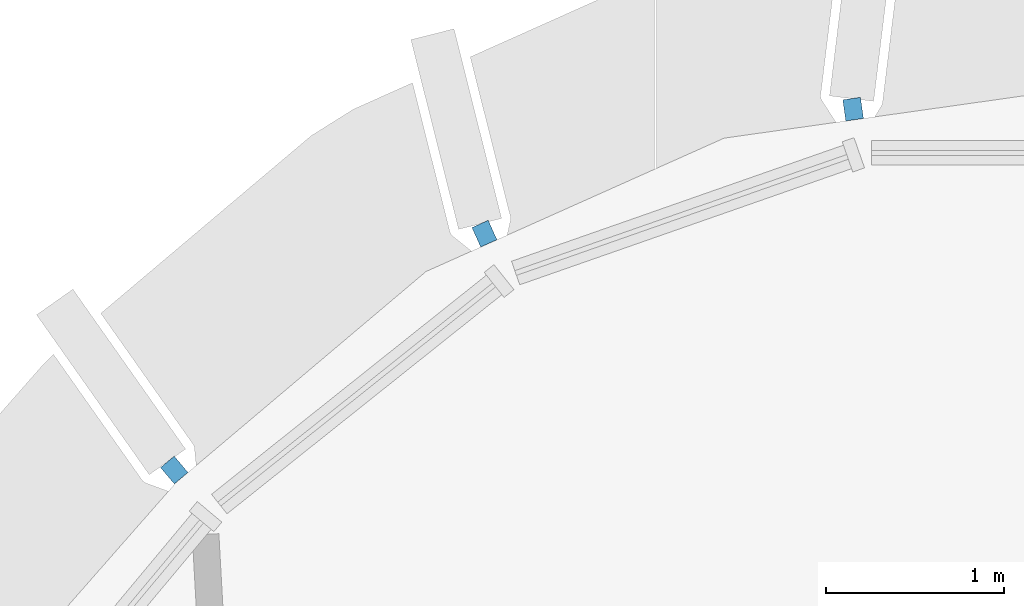
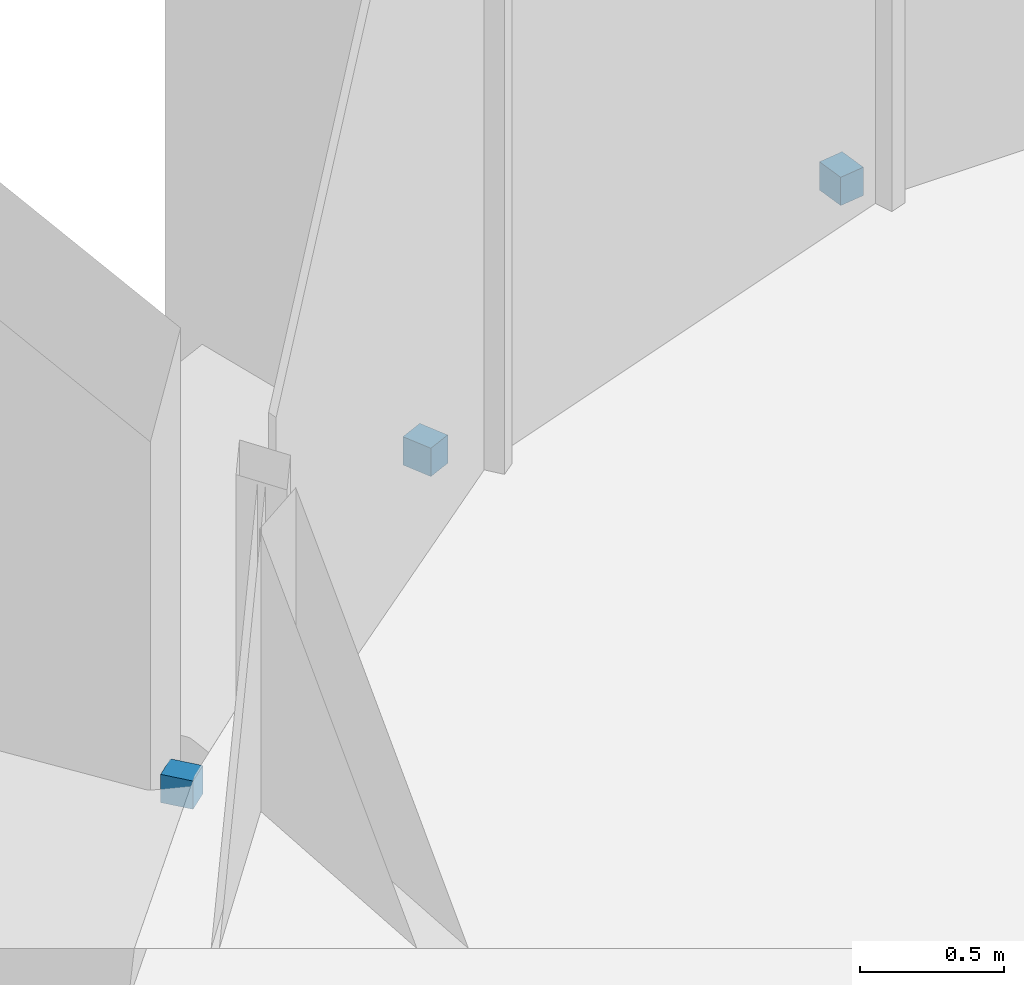
# One storey, part 13 of 16: 3 discrete accessories.
"""IFC4 building model written with IfcOpenShell, lengths in metres."""

from ifc_helpers import new_model, si_unit, direction, frame, origin, origin_2d, place, context, subcontext, project, spatial, rectangle, extrude, material, type_object, element, save


model = new_model("IFC4")

# Units and contexts
model_context = context("Model", 3, precision=1e-05, world=origin(), true_north=direction((0.0, 1.0)))
body_context = subcontext(model_context, "Body", "Model", "MODEL_VIEW")
ifc_project = project(units=[si_unit("LENGTHUNIT", "METRE"), si_unit("AREAUNIT", "SQUARE_METRE"), si_unit("VOLUMEUNIT", "CUBIC_METRE"), si_unit("PLANEANGLEUNIT", "RADIAN"), si_unit("MASSUNIT", "GRAM", prefix="KILO")], contexts=[model_context])

# Site, building, storey
site_placement = place(None, origin())
site = spatial("IfcSite", under=ifc_project, at=site_placement, CompositionType="ELEMENT")
building_placement = place(site_placement, origin())
building = spatial("IfcBuilding", under=site, at=building_placement, Name="Sierra Prisma Convention Tower", CompositionType="ELEMENT")
storey_placement = place(building_placement, frame((0.0, 0.0, 271.0)))
storey = spatial("IfcBuildingStorey", under=building, at=storey_placement, Name="L61", CompositionType="ELEMENT", Elevation=271.0)

# Discrete accessories
ifc_material = material(Name="Stainless steel 316", Category="steel")
discrete_accessory_type = type_object("IfcDiscreteAccessoryType", Name="Fin bracket", PredefinedType="BRACKET", material=ifc_material)
for number, where, z_axis, x_axis, name in (
    (1, (-1.09326171875, 30.931884765625, -0.135009765625), (0.0, 0.0, 1.0), (-0.139769200228, 0.99018410948, 0.0), "Fin bracket L61.43 base"),
    (2, (-3.166748046875, 30.2314453125, -0.135009765625), (0.0, 0.0, 1.0), (-0.408385795366, 0.912809422686, 0.0), "Fin bracket L61.44 base"),
    (3, (-4.911376953125, 28.902099609375, -0.135009765625), (0.0, 0.0, 1.0), (-0.645090423116, 0.764106239998, 0.0), "Fin bracket L61.45 base"),
):
    element("IfcDiscreteAccessory", number, at=place(storey_placement, frame(where, z_axis=z_axis, x_axis=x_axis)), inside=storey, type_object=discrete_accessory_type, Name=name, PredefinedType="BRACKET", context=body_context, shape_type="SweptSolid", body=[
        extrude(rectangle(XDim=0.1201171875, YDim=0.10009765625, at=origin_2d()), origin(), (0.0, 0.0, 1.0), 0.1201171875),
    ])

save(model, "model.ifc")
